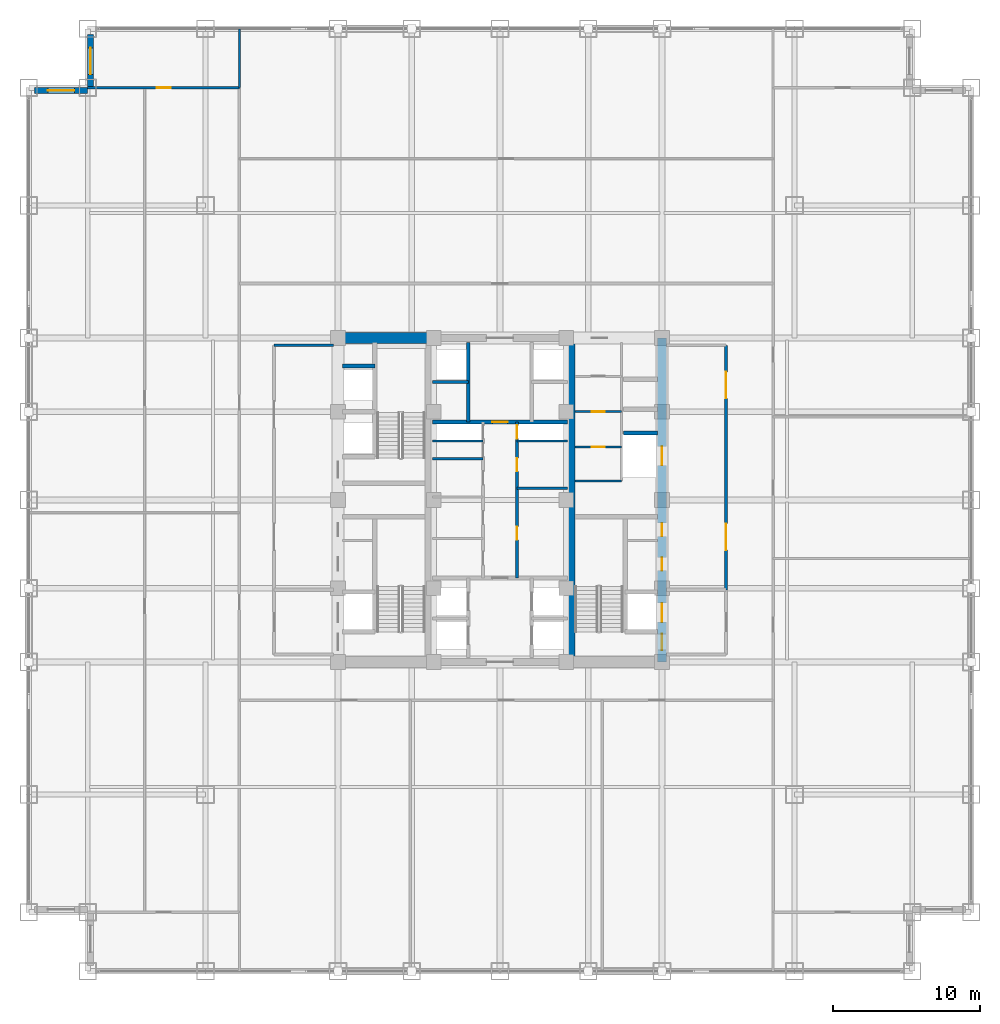
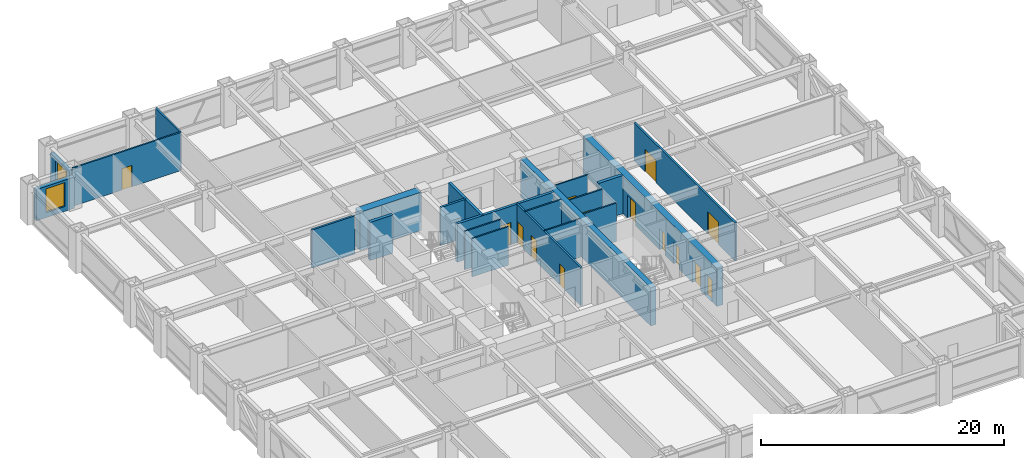
# One storey, part 25 of 27: 22 walls, 14 doors, 2 windows, 16 openings.
"""IFC4 building model written with IfcOpenShell, lengths in metres."""

from ifc_helpers import new_model, si_unit, direction, frame, frame_2d, origin, place, context, subcontext, project, spatial, rectangle, extrude, source, transform, mapped, material, layer, layer_set, type_object, element, fill, save


model = new_model("IFC4")

# Units and contexts
model_context = context("Model", 3, precision=1e-05, world=origin(), true_north=direction((0.0, 1.0)))
body_context = subcontext(model_context, "Body", "Model", "MODEL_VIEW")
ifc_project = project(units=[si_unit("LENGTHUNIT", "METRE"), si_unit("AREAUNIT", "SQUARE_METRE"), si_unit("VOLUMEUNIT", "CUBIC_METRE"), si_unit("PLANEANGLEUNIT", "RADIAN"), si_unit("MASSUNIT", "GRAM", prefix="KILO")], contexts=[model_context])

# Site, building, storey
site_placement = place(None, origin())
site = spatial("IfcSite", under=ifc_project, at=site_placement, CompositionType="ELEMENT")
building_placement = place(site_placement, origin())
building = spatial("IfcBuilding", under=site, at=building_placement, Name="Khorayat Bourse Tower", CompositionType="ELEMENT")
storey_placement = place(building_placement, frame((0.0, 0.0, 107.800048828125)))
storey = spatial("IfcBuildingStorey", under=building, at=storey_placement, Name="L24", CompositionType="ELEMENT", Elevation=107.800048828125)

# Wall, openings, doors
ifc_material_1 = material(Name="Concrete C60/75", Category="concrete")
ifc_layer_1 = layer(ifc_material_1, 0.60009765625)
ifc_layer_set_1 = layer_set([ifc_layer_1], Name="Concrete C60/75")
wall_type_1 = type_object("IfcWallType", Name="WAL-CORE-600", PredefinedType="SHEAR", material=ifc_layer_set_1)
shared_shape_1 = source(origin(), body_context, "Body", "SweptSolid", [
    extrude(rectangle(XDim=22.0, YDim=0.60009765625, at=frame_2d((11.0, 0.0))), origin(), (0.0, 0.0, 1.0), 3.83984375),
])
wall_1_placement = place(storey_placement, frame((11.0, -11.0, 0.0), z_axis=(0.0, 0.0, 1.0), x_axis=(0.0, 1.0, 0.0)))
wall_1 = element("IfcWall", 1, at=wall_1_placement, inside=storey, type_object=wall_type_1, Name="L24 Core Shear Wall CORE-E", PredefinedType="SHEAR", context=body_context, shape_type="MappedRepresentation", body=[
    mapped(shared_shape_1, transform((0.0, 0.0, 0.0), scale=1.0)),
])
shared_shape_2 = source(origin(), body_context, "Body", "SweptSolid", [
    extrude(rectangle(XDim=1.10009765625, YDim=2.199951171875, at=frame_2d((0.550048828125, 1.10009765625))), frame((0.0, 0.31005859375, 0.0), z_axis=(0.0, -1.0, 0.0), x_axis=(1.0, 0.0, 0.0)), (0.0, 0.0, 1.0), 0.6201171875),
])
opening_1_placement = place(wall_1_placement, frame((0.800048828125, 0.0, 0.0)))
opening_1 = element("IfcOpeningElement", 2, at=opening_1_placement, cuts=wall_1, Name="Opening DI-01", PredefinedType="OPENING", context=body_context, shape_type="MappedRepresentation", body=[
    mapped(shared_shape_2, transform((0.0, 0.0, 0.0), scale=1.0)),
])
shared_shape_3 = source(origin(), body_context, "Body", "SweptSolid", [
    extrude(rectangle(XDim=0.89990234375, YDim=2.14990234375, at=frame_2d((0.449951171875, 1.074951171875))), frame((0.0, 0.31005859375, 0.0), z_axis=(0.0, -1.0, 0.0), x_axis=(1.0, 0.0, 0.0)), (0.0, 0.0, 1.0), 0.6201171875),
])
opening_2_placement = place(wall_1_placement, frame((6.199951171875, 0.0, 0.0)))
opening_2 = element("IfcOpeningElement", 3, at=opening_2_placement, cuts=wall_1, Name="Opening DI-06", PredefinedType="OPENING", context=body_context, shape_type="MappedRepresentation", body=[
    mapped(shared_shape_3, transform((0.0, 0.0, 0.0), scale=1.0)),
])
opening_3_placement = place(wall_1_placement, frame((8.52490234375, 0.0, 0.0)))
opening_3 = element("IfcOpeningElement", 4, at=opening_3_placement, cuts=wall_1, Name="Opening DI-06", PredefinedType="OPENING", context=body_context, shape_type="MappedRepresentation", body=[
    mapped(shared_shape_3, transform((0.0, 0.0, 0.0), scale=1.0)),
])
shared_shape_4 = source(origin(), body_context, "Body", "SweptSolid", [
    extrude(rectangle(XDim=1.300048828125, YDim=2.300048828125, at=frame_2d((0.64990234375, 1.14990234375))), frame((0.0, 0.31005859375, 0.0), z_axis=(0.0, -1.0, 0.0), x_axis=(1.0, 0.0, 0.0)), (0.0, 0.0, 1.0), 0.6201171875),
])
opening_4_placement = place(wall_1_placement, frame((2.699951171875, 0.0, 0.0)))
opening_4 = element("IfcOpeningElement", 5, at=opening_4_placement, cuts=wall_1, Name="Opening LD-02", PredefinedType="OPENING", context=body_context, shape_type="MappedRepresentation", body=[
    mapped(shared_shape_4, transform((0.0, 0.0, 0.0), scale=1.0)),
])
opening_5_placement = place(wall_1_placement, frame((13.35009765625, 0.0, 0.0)))
opening_5 = element("IfcOpeningElement", 6, at=opening_5_placement, cuts=wall_1, Name="Opening LD-02", PredefinedType="OPENING", context=body_context, shape_type="MappedRepresentation", body=[
    mapped(shared_shape_4, transform((0.0, 0.0, 0.0), scale=1.0)),
])
ifc_material_2 = material(Name="Fire-rated steel acoustic leaf", Category="steel")
door_type_1 = type_object("IfcDoorType", Name="DR-INT-STAIR-1100", OperationType="NOTDEFINED", PredefinedType="DOOR", material=ifc_material_2)
shared_shape_5 = source(origin(), body_context, "Body", "SweptSolid", [
    extrude(rectangle(XDim=1.10009765625, YDim=2.199951171875, at=frame_2d((0.550048828125, 1.10009765625))), frame((0.0, 0.02490234375, 0.0), z_axis=(0.0, -1.0, 0.0), x_axis=(1.0, 0.0, 0.0)), (0.0, 0.0, 1.0), 0.050048828125),
])
door_1_placement = place(opening_1_placement, origin())
door_1 = element("IfcDoor", 7, at=door_1_placement, inside=storey, type_object=door_type_1, Name="L24 Exit Stair 3 Door", OperationType="SINGLE_SWING_LEFT", OverallHeight=2.199951171875, OverallWidth=1.10009765625, PredefinedType="DOOR", context=body_context, shape_type="MappedRepresentation", body=[
    mapped(shared_shape_5, transform((0.0, 0.0, 0.0), scale=1.0)),
])
fill(opening_1, door_1)
ifc_material_3 = material(Name="Moisture-resistant laminate washroom door")
door_type_2 = type_object("IfcDoorType", Name="DR-INT-WC-900", OperationType="NOTDEFINED", PredefinedType="DOOR", material=ifc_material_3)
shared_shape_6 = source(origin(), body_context, "Body", "SweptSolid", [
    extrude(rectangle(XDim=0.89990234375, YDim=2.14990234375, at=frame_2d((0.449951171875, 1.074951171875))), frame((0.0, 0.02490234375, 0.0), z_axis=(0.0, -1.0, 0.0), x_axis=(1.0, 0.0, 0.0)), (0.0, 0.0, 1.0), 0.050048828125),
])
door_2_placement = place(opening_2_placement, origin())
door_2 = element("IfcDoor", 8, at=door_2_placement, inside=storey, type_object=door_type_2, Name="L24 Telecom Closet Door", OperationType="SINGLE_SWING_LEFT", OverallHeight=2.14990234375, OverallWidth=0.89990234375, PredefinedType="DOOR", context=body_context, shape_type="MappedRepresentation", body=[
    mapped(shared_shape_6, transform((0.0, 0.0, 0.0), scale=1.0)),
])
fill(opening_2, door_2)
door_3_placement = place(opening_3_placement, origin())
door_3 = element("IfcDoor", 9, at=door_3_placement, inside=storey, type_object=door_type_2, Name="L24 Stationery Store Door", OperationType="SINGLE_SWING_RIGHT", OverallHeight=2.14990234375, OverallWidth=0.89990234375, PredefinedType="DOOR", context=body_context, shape_type="MappedRepresentation", body=[
    mapped(shared_shape_6, transform((0.0, 0.0, 0.0), scale=1.0)),
])
fill(opening_3, door_3)
ifc_material_4 = material(Name="Fire-rated stainless-steel sliding landing door", Category="steel")
door_type_3 = type_object("IfcDoorType", Name="DR-LIFT-FF-1300", OperationType="NOTDEFINED", PredefinedType="DOOR", material=ifc_material_4)
shared_shape_7 = source(origin(), body_context, "Body", "SweptSolid", [
    extrude(rectangle(XDim=1.300048828125, YDim=2.300048828125, at=frame_2d((0.64990234375, 1.14990234375))), frame((0.0, 0.02490234375, 0.0), z_axis=(0.0, -1.0, 0.0), x_axis=(1.0, 0.0, 0.0)), (0.0, 0.0, 1.0), 0.050048828125),
])
door_4_placement = place(opening_4_placement, origin())
door_4 = element("IfcDoor", 10, at=door_4_placement, inside=storey, type_object=door_type_3, Name="L24 Lift FFL-02 Sliding Landing Door", OperationType="SLIDING_TO_LEFT", OverallHeight=2.300048828125, OverallWidth=1.300048828125, PredefinedType="DOOR", context=body_context, shape_type="MappedRepresentation", body=[
    mapped(shared_shape_7, transform((0.0, 0.0, 0.0), scale=1.0)),
])
fill(opening_4, door_4)
door_5_placement = place(opening_5_placement, origin())
door_5 = element("IfcDoor", 11, at=door_5_placement, inside=storey, type_object=door_type_3, Name="L24 Lift SVL-01 Sliding Landing Door", OperationType="SLIDING_TO_LEFT", OverallHeight=2.300048828125, OverallWidth=1.300048828125, PredefinedType="DOOR", context=body_context, shape_type="MappedRepresentation", body=[
    mapped(shared_shape_7, transform((0.0, 0.0, 0.0), scale=1.0)),
])
fill(opening_5, door_5)

# Walls
ifc_material_5 = material(Name="Concrete C52/65", Category="concrete")
ifc_layer_2 = layer(ifc_material_5, 0.5)
ifc_layer_set_2 = layer_set([ifc_layer_2], Name="Concrete C52/65")
wall_type_2 = type_object("IfcWallType", Name="WAL-CORE-500", PredefinedType="SHEAR", material=ifc_layer_set_2)
shared_shape_8 = source(origin(), body_context, "Body", "SweptSolid", [
    extrude(rectangle(XDim=21.39990234375, YDim=0.5, at=frame_2d((10.699951171875, 0.0))), origin(), (0.0, 0.0, 1.0), 3.83984375),
])
wall_2_placement = place(storey_placement, frame((4.85009765625, -10.699951171875, 0.0), z_axis=(0.0, 0.0, 1.0), x_axis=(0.0, 1.0, 0.0)))
element("IfcWall", 12, at=wall_2_placement, inside=storey, type_object=wall_type_2, Name="L24 Core Shear Wall PIER-E", PredefinedType="SHEAR", context=body_context, shape_type="MappedRepresentation", body=[
    mapped(shared_shape_8, transform((0.0, 0.0, 0.0), scale=1.0)),
])
ifc_material_6 = material(Name="Concrete C72/90", Category="concrete")
ifc_layer_3 = layer(ifc_material_6, 0.75)
ifc_layer_set_3 = layer_set([ifc_layer_3], Name="Concrete C72/90")
wall_type_3 = type_object("IfcWallType", Name="WAL-CORE-750", PredefinedType="SHEAR", material=ifc_layer_set_3)
shared_shape_9 = source(origin(), body_context, "Body", "SweptSolid", [
    extrude(rectangle(XDim=5.849853515625, YDim=0.75, at=frame_2d((2.9248046875, 0.0))), origin(), (0.0, 0.0, 1.0), 3.83984375),
])
wall_3_placement = place(storey_placement, frame((-10.699951171875, 11.0, 0.0), z_axis=(0.0, 0.0, 1.0), x_axis=(1.0, 0.0, 0.0)))
element("IfcWall", 13, at=wall_3_placement, inside=storey, type_object=wall_type_3, Name="L24 Core Shear Wall PIER-WN", PredefinedType="SHEAR", context=body_context, shape_type="MappedRepresentation", body=[
    mapped(shared_shape_9, transform((0.0, 0.0, 0.0), scale=1.0)),
])

# Wall, opening, window
ifc_material_7 = material(Name="Precast concrete C45/55", Category="concrete")
ifc_layer_4 = layer(ifc_material_7, 0.3798828125)
ifc_layer_set_4 = layer_set([ifc_layer_4], Name="Precast concrete C45/55")
wall_type_4 = type_object("IfcWallType", Name="WAL-EXT-STONE-380", PredefinedType="STANDARD", material=ifc_layer_set_4)
shared_shape_10 = source(origin(), body_context, "Body", "SweptSolid", [
    extrude(rectangle(XDim=3.6201171875, YDim=0.3798828125, at=frame_2d((1.81005859375, 0.0))), origin(), (0.0, 0.0, 1.0), 3.14501953125),
])
wall_4_placement = place(storey_placement, frame((-27.81005859375, 28.0, 0.0), z_axis=(0.0, 0.0, 1.0), x_axis=(0.0, 1.0, 0.0)))
wall_4 = element("IfcWall", 14, at=wall_4_placement, inside=storey, type_object=wall_type_4, Name="L24 Re-Entrant Notch Limestone Wall NW-V", PredefinedType="STANDARD", context=body_context, shape_type="MappedRepresentation", body=[
    mapped(shared_shape_10, transform((0.0, 0.0, 0.0), scale=1.0)),
])
shared_shape_11 = source(origin(), body_context, "Body", "SweptSolid", [
    extrude(rectangle(XDim=1.800048828125, YDim=2.39990234375, at=frame_2d((0.89990234375, 1.199951171875))), frame((0.0, 0.199951171875, 0.0), z_axis=(0.0, -1.0, 0.0), x_axis=(1.0, 0.0, 0.0)), (0.0, 0.0, 1.0), 0.39990234375),
])
opening_6_placement = place(wall_4_placement, frame((0.909912109375, 0.0, 0.5)))
opening_6 = element("IfcOpeningElement", 15, at=opening_6_placement, cuts=wall_4, Name="Opening WN-04", PredefinedType="OPENING", context=body_context, shape_type="MappedRepresentation", body=[
    mapped(shared_shape_11, transform((0.0, 0.0, 0.0), scale=1.0)),
])
ifc_material_8 = material(Name="Low-E acoustic laminated double glazing", Category="glass")
window_type = type_object("IfcWindowType", Name="WIN-NOTCH-1800x2400", PartitioningType="SINGLE_PANEL", PredefinedType="WINDOW", material=ifc_material_8)
shared_shape_12 = source(origin(), body_context, "Body", "SweptSolid", [
    extrude(rectangle(XDim=1.800048828125, YDim=2.39990234375, at=frame_2d((0.89990234375, 1.199951171875))), frame((0.0, 0.030029296875, 0.0), z_axis=(0.0, -1.0, 0.0), x_axis=(1.0, 0.0, 0.0)), (0.0, 0.0, 1.0), 0.06005859375),
])
window_1_placement = place(opening_6_placement, origin())
window_1 = element("IfcWindow", 16, at=window_1_placement, inside=storey, type_object=window_type, Name="L24 Facade Window 1", OverallHeight=2.39990234375, OverallWidth=1.800048828125, PartitioningType="SINGLE_PANEL", PredefinedType="WINDOW", context=body_context, shape_type="MappedRepresentation", body=[
    mapped(shared_shape_12, transform((0.0, 0.0, 0.0), scale=1.0)),
])
fill(opening_6, window_1)

wall_5_placement = place(storey_placement, frame((-28.0, 27.81005859375, 0.0), z_axis=(0.0, 0.0, 1.0), x_axis=(-1.0, 0.0, 0.0)))
wall_5 = element("IfcWall", 17, at=wall_5_placement, inside=storey, type_object=wall_type_4, Name="L24 Re-Entrant Notch Limestone Wall NW-H", PredefinedType="STANDARD", context=body_context, shape_type="MappedRepresentation", body=[
    mapped(shared_shape_10, transform((0.0, 0.0, 0.0), scale=1.0)),
])
opening_7_placement = place(wall_5_placement, frame((0.909912109375, 0.0, 0.5)))
opening_7 = element("IfcOpeningElement", 18, at=opening_7_placement, cuts=wall_5, Name="Opening WN-04", PredefinedType="OPENING", context=body_context, shape_type="MappedRepresentation", body=[
    mapped(shared_shape_11, transform((0.0, 0.0, 0.0), scale=1.0)),
])
window_2_placement = place(opening_7_placement, origin())
window_2 = element("IfcWindow", 19, at=window_2_placement, inside=storey, type_object=window_type, Name="L24 Facade Window 1", OverallHeight=2.39990234375, OverallWidth=1.800048828125, PartitioningType="SINGLE_PANEL", PredefinedType="WINDOW", context=body_context, shape_type="MappedRepresentation", body=[
    mapped(shared_shape_12, transform((0.0, 0.0, 0.0), scale=1.0)),
])
fill(opening_7, window_2)

# Walls
ifc_material_9 = material(Name="Concrete C50/60", Category="concrete")
ifc_layer_5 = layer(ifc_material_9, 0.300048828125)
ifc_layer_set_5 = layer_set([ifc_layer_5], Name="Concrete C50/60")
wall_type_5 = type_object("IfcWallType", Name="WAL-SHAFT-300", PredefinedType="SHEAR", material=ifc_layer_set_5)
shared_shape_13 = source(origin(), body_context, "Body", "SweptSolid", [
    extrude(rectangle(XDim=2.199951171875, YDim=0.300048828125, at=frame_2d((1.10009765625, 0.0))), origin(), (0.0, 0.0, 1.0), 3.83984375),
])
wall_6_placement = place(storey_placement, frame((-10.699951171875, 9.10009765625, 0.0), z_axis=(0.0, 0.0, 1.0), x_axis=(1.0, 0.0, 0.0)))
element("IfcWall", 20, at=wall_6_placement, inside=storey, type_object=wall_type_5, Name="L24 Partition WAL-L24-WPIER-H2N", PredefinedType="SHEAR", context=body_context, shape_type="MappedRepresentation", body=[
    mapped(shared_shape_13, transform((0.0, 0.0, 0.0), scale=1.0)),
])
shared_shape_14 = source(origin(), body_context, "Body", "SweptSolid", [
    extrude(rectangle(XDim=2.300048828125, YDim=0.300048828125, at=frame_2d((1.14990234375, 0.0))), origin(), (0.0, 0.0, 1.0), 3.83984375),
])
wall_7_placement = place(storey_placement, frame((8.39990234375, 4.550048828125, 0.0), z_axis=(0.0, 0.0, 1.0), x_axis=(1.0, 0.0, 0.0)))
element("IfcWall", 21, at=wall_7_placement, inside=storey, type_object=wall_type_5, Name="L24 Partition WAL-L24-EPIER-SVLN", PredefinedType="SHEAR", context=body_context, shape_type="MappedRepresentation", body=[
    mapped(shared_shape_14, transform((0.0, 0.0, 0.0), scale=1.0)),
])
ifc_material_10 = material(Name="Moisture-resistant masonry partition", Category="masonry")
ifc_layer_6 = layer(ifc_material_10, 0.139892578125)
ifc_layer_set_6 = layer_set([ifc_layer_6], Name="Moisture-resistant masonry partition")
wall_type_6 = type_object("IfcWallType", Name="WAL-PART-WET-140", PredefinedType="PARTITIONING", material=ifc_layer_set_6)
shared_shape_15 = source(origin(), body_context, "Body", "SweptSolid", [
    extrude(rectangle(XDim=3.14990234375, YDim=0.139892578125, at=frame_2d((1.574951171875, 0.0))), origin(), (0.0, 0.0, 1.0), 3.83984375),
])
wall_8_placement = place(storey_placement, frame((5.10009765625, 1.300048828125, 0.0), z_axis=(0.0, 0.0, 1.0), x_axis=(1.0, 0.0, 0.0)))
element("IfcWall", 22, at=wall_8_placement, inside=storey, type_object=wall_type_6, Name="L24 Partition WAL-L24-ECORE-S", PredefinedType="PARTITIONING", context=body_context, shape_type="MappedRepresentation", body=[
    mapped(shared_shape_15, transform((0.0, 0.0, 0.0), scale=1.0)),
])

# Wall, opening, door
wall_9_placement = place(storey_placement, frame((5.10009765625, 6.0, 0.0), z_axis=(0.0, 0.0, 1.0), x_axis=(1.0, 0.0, 0.0)))
wall_9 = element("IfcWall", 23, at=wall_9_placement, inside=storey, type_object=wall_type_6, Name="L24 Partition WAL-L24-ECW-H1", PredefinedType="PARTITIONING", context=body_context, shape_type="MappedRepresentation", body=[
    mapped(shared_shape_15, transform((0.0, 0.0, 0.0), scale=1.0)),
])
shared_shape_16 = source(origin(), body_context, "Body", "SweptSolid", [
    extrude(rectangle(XDim=0.89990234375, YDim=2.14990234375, at=frame_2d((0.449951171875, 1.074951171875))), frame((0.0, 0.079833984375, 0.0), z_axis=(0.0, -1.0, 0.0), x_axis=(1.0, 0.0, 0.0)), (0.0, 0.0, 1.0), 0.159912109375),
])
opening_8_placement = place(wall_9_placement, frame((1.1298828125, 0.0, 0.0)))
opening_8 = element("IfcOpeningElement", 24, at=opening_8_placement, cuts=wall_9, Name="Opening DI-06", PredefinedType="OPENING", context=body_context, shape_type="MappedRepresentation", body=[
    mapped(shared_shape_16, transform((0.0, 0.0, 0.0), scale=1.0)),
])
door_6_placement = place(opening_8_placement, origin())
door_6 = element("IfcDoor", 25, at=door_6_placement, inside=storey, type_object=door_type_2, Name="L24 Shared Washroom Door", OperationType="SINGLE_SWING_RIGHT", OverallHeight=2.14990234375, OverallWidth=0.89990234375, PredefinedType="DOOR", context=body_context, shape_type="MappedRepresentation", body=[
    mapped(shared_shape_6, transform((0.0, 0.0, 0.0), scale=1.0)),
])
fill(opening_8, door_6)

wall_10_placement = place(storey_placement, frame((5.10009765625, 3.60009765625, 0.0), z_axis=(0.0, 0.0, 1.0), x_axis=(1.0, 0.0, 0.0)))
wall_10 = element("IfcWall", 26, at=wall_10_placement, inside=storey, type_object=wall_type_6, Name="L24 Partition WAL-L24-ECW-H2", PredefinedType="PARTITIONING", context=body_context, shape_type="MappedRepresentation", body=[
    mapped(shared_shape_15, transform((0.0, 0.0, 0.0), scale=1.0)),
])
opening_9_placement = place(wall_10_placement, frame((1.1298828125, 0.0, 0.0)))
opening_9 = element("IfcOpeningElement", 27, at=opening_9_placement, cuts=wall_10, Name="Opening DI-06", PredefinedType="OPENING", context=body_context, shape_type="MappedRepresentation", body=[
    mapped(shared_shape_16, transform((0.0, 0.0, 0.0), scale=1.0)),
])
door_7_placement = place(opening_9_placement, origin())
door_7 = element("IfcDoor", 28, at=door_7_placement, inside=storey, type_object=door_type_2, Name="L24 Staff Washroom Door", OperationType="SINGLE_SWING_LEFT", OverallHeight=2.14990234375, OverallWidth=0.89990234375, PredefinedType="DOOR", context=body_context, shape_type="MappedRepresentation", body=[
    mapped(shared_shape_6, transform((0.0, 0.0, 0.0), scale=1.0)),
])
fill(opening_9, door_7)

# Wall
ifc_material_11 = material(Name="Gypsum plasterboard acoustic stud wall")
ifc_layer_7 = layer(ifc_material_11, 0.179931640625)
ifc_layer_set_7 = layer_set([ifc_layer_7], Name="Gypsum plasterboard acoustic stud wall")
wall_type_7 = type_object("IfcWallType", Name="WAL-PART-CORR-180", PredefinedType="PARTITIONING", material=ifc_layer_set_7)
shared_shape_17 = source(origin(), body_context, "Body", "SweptSolid", [
    extrude(rectangle(XDim=4.050048828125, YDim=0.179931640625, at=frame_2d((2.02490234375, 0.0))), origin(), (0.0, 0.0, 1.0), 3.83984375),
])
wall_11_placement = place(storey_placement, frame((-15.35009765625, 10.5, 0.0), z_axis=(0.0, 0.0, 1.0), x_axis=(1.0, 0.0, 0.0)))
element("IfcWall", 29, at=wall_11_placement, inside=storey, type_object=wall_type_7, Name="L24 Partition WAL-L24-WLOB-N", PredefinedType="PARTITIONING", context=body_context, shape_type="MappedRepresentation", body=[
    mapped(shared_shape_17, transform((0.0, 0.0, 0.0), scale=1.0)),
])

# Wall, openings, doors
shared_shape_18 = source(origin(), body_context, "Body", "SweptSolid", [
    extrude(rectangle(XDim=16.60009765625, YDim=0.179931640625, at=frame_2d((8.300048828125, 0.0))), origin(), (0.0, 0.0, 1.0), 3.83984375),
])
wall_12_placement = place(storey_placement, frame((15.35009765625, -6.10009765625, 0.0), z_axis=(0.0, 0.0, 1.0), x_axis=(0.0, 1.0, 0.0)))
wall_12 = element("IfcWall", 30, at=wall_12_placement, inside=storey, type_object=wall_type_7, Name="L24 Partition WAL-L24-ELOB-E", PredefinedType="PARTITIONING", context=body_context, shape_type="MappedRepresentation", body=[
    mapped(shared_shape_18, transform((0.0, 0.0, 0.0), scale=1.0)),
])
shared_shape_19 = source(origin(), body_context, "Body", "SweptSolid", [
    extrude(rectangle(XDim=1.800048828125, YDim=2.25, at=frame_2d((0.89990234375, 1.125))), frame((0.0, 0.099853515625, 0.0), z_axis=(0.0, -1.0, 0.0), x_axis=(1.0, 0.0, 0.0)), (0.0, 0.0, 1.0), 0.199951171875),
])
opening_10_placement = place(wall_12_placement, frame((2.699951171875, 0.0, 0.0)))
opening_10 = element("IfcOpeningElement", 31, at=opening_10_placement, cuts=wall_12, Name="Opening DI-03", PredefinedType="OPENING", context=body_context, shape_type="MappedRepresentation", body=[
    mapped(shared_shape_19, transform((0.0, 0.0, 0.0), scale=1.0)),
])
opening_11_placement = place(wall_12_placement, frame((13.0, 0.0, 0.0)))
opening_11 = element("IfcOpeningElement", 32, at=opening_11_placement, cuts=wall_12, Name="Opening DI-03", PredefinedType="OPENING", context=body_context, shape_type="MappedRepresentation", body=[
    mapped(shared_shape_19, transform((0.0, 0.0, 0.0), scale=1.0)),
])
ifc_material_12 = material(Name="Fire-rated hardwood vision-panel double leaf", Category="wood")
door_type_4 = type_object("IfcDoorType", Name="DR-INT-CORR-1800", OperationType="NOTDEFINED", PredefinedType="DOOR", material=ifc_material_12)
shared_shape_20 = source(origin(), body_context, "Body", "SweptSolid", [
    extrude(rectangle(XDim=1.800048828125, YDim=2.25, at=frame_2d((0.89990234375, 1.125))), frame((0.0, 0.02490234375, 0.0), z_axis=(0.0, -1.0, 0.0), x_axis=(1.0, 0.0, 0.0)), (0.0, 0.0, 1.0), 0.050048828125),
])
door_8_placement = place(opening_10_placement, origin())
door_8 = element("IfcDoor", 33, at=door_8_placement, inside=storey, type_object=door_type_4, Name="L24 East Core Lobby South Door", OperationType="SINGLE_SWING_RIGHT", OverallHeight=2.25, OverallWidth=1.800048828125, PredefinedType="DOOR", context=body_context, shape_type="MappedRepresentation", body=[
    mapped(shared_shape_20, transform((0.0, 0.0, 0.0), scale=1.0)),
])
fill(opening_10, door_8)
door_9_placement = place(opening_11_placement, origin())
door_9 = element("IfcDoor", 34, at=door_9_placement, inside=storey, type_object=door_type_4, Name="L24 East Core Lobby North Door", OperationType="SINGLE_SWING_LEFT", OverallHeight=2.25, OverallWidth=1.800048828125, PredefinedType="DOOR", context=body_context, shape_type="MappedRepresentation", body=[
    mapped(shared_shape_20, transform((0.0, 0.0, 0.0), scale=1.0)),
])
fill(opening_11, door_9)

# Walls
ifc_material_13 = material(Name="Gypsum plasterboard twin-frame partition")
ifc_layer_8 = layer(ifc_material_13, 0.14990234375)
ifc_layer_set_8 = layer_set([ifc_layer_8], Name="Gypsum plasterboard twin-frame partition")
wall_type_8 = type_object("IfcWallType", Name="WAL-PART-SUITE-150", PredefinedType="PARTITIONING", material=ifc_layer_set_8)
shared_shape_21 = source(origin(), body_context, "Body", "SweptSolid", [
    extrude(rectangle(XDim=3.4501953125, YDim=0.14990234375, at=frame_2d((1.72509765625, 0.0))), origin(), (0.0, 0.0, 1.0), 3.83984375),
])
for number, where, z_axis, x_axis, name in (
    (35, (-4.60009765625, 4.0, 0.0), (0.0, 0.0, 1.0), (1.0, 0.0, 0.0), "L24 Partition WAL-L24-CRSW-S"),
    (36, (1.14990234375, 4.0, 0.0), (0.0, 0.0, 1.0), (1.0, 0.0, 0.0), "L24 Partition WAL-L24-CRSE-S"),
):
    element("IfcWall", number, at=place(storey_placement, frame(where, z_axis=z_axis, x_axis=x_axis)), inside=storey, type_object=wall_type_8, Name=name, PredefinedType="PARTITIONING", context=body_context, shape_type="MappedRepresentation", body=[
        mapped(shared_shape_21, transform((0.0, 0.0, 0.0), scale=1.0)),
    ])
shared_shape_22 = source(origin(), body_context, "Body", "SweptSolid", [
    extrude(rectangle(XDim=5.39990234375, YDim=0.25, at=frame_2d((2.699951171875, 0.0))), origin(), (0.0, 0.0, 1.0), 3.83984375),
])
wall_13_placement = place(storey_placement, frame((-2.14990234375, 5.300048828125, 0.0), z_axis=(0.0, 0.0, 1.0), x_axis=(0.0, 1.0, 0.0)))
element("IfcWall", 37, at=wall_13_placement, inside=storey, type_object=wall_type_5, Name="L24 Partition WAL-L24-B2-W", PredefinedType="SHEAR", context=body_context, shape_type="MappedRepresentation", body=[
    mapped(shared_shape_22, transform((0.0, 0.0, 0.0), scale=1.0)),
])
shared_shape_23 = source(origin(), body_context, "Body", "SweptSolid", [
    extrude(rectangle(XDim=2.4501953125, YDim=0.199951171875, at=frame_2d((1.22509765625, 0.0))), origin(), (0.0, 0.0, 1.0), 3.83984375),
])
wall_14_placement = place(storey_placement, frame((-4.60009765625, 8.0, 0.0), z_axis=(0.0, 0.0, 1.0), x_axis=(1.0, 0.0, 0.0)))
element("IfcWall", 38, at=wall_14_placement, inside=storey, type_object=wall_type_5, Name="L24 Partition WAL-L24-B2-MW", PredefinedType="SHEAR", context=body_context, shape_type="MappedRepresentation", body=[
    mapped(shared_shape_23, transform((0.0, 0.0, 0.0), scale=1.0)),
])

# Wall, opening, door
shared_shape_24 = source(origin(), body_context, "Body", "SweptSolid", [
    extrude(rectangle(XDim=9.2001953125, YDim=0.25, at=frame_2d((4.60009765625, 0.0))), origin(), (0.0, 0.0, 1.0), 3.83984375),
])
wall_15_placement = place(storey_placement, frame((-4.60009765625, 5.300048828125, 0.0), z_axis=(0.0, 0.0, 1.0), x_axis=(1.0, 0.0, 0.0)))
wall_15 = element("IfcWall", 39, at=wall_15_placement, inside=storey, type_object=wall_type_5, Name="L24 Partition WAL-L24-B2-S", PredefinedType="SHEAR", context=body_context, shape_type="MappedRepresentation", body=[
    mapped(shared_shape_24, transform((0.0, 0.0, 0.0), scale=1.0)),
])
shared_shape_25 = source(origin(), body_context, "Body", "SweptSolid", [
    extrude(rectangle(XDim=1.050048828125, YDim=2.199951171875, at=frame_2d((0.52490234375, 1.10009765625))), frame((0.0, 0.135009765625, 0.0), z_axis=(0.0, -1.0, 0.0), x_axis=(1.0, 0.0, 0.0)), (0.0, 0.0, 1.0), 0.27001953125),
])
opening_12_placement = place(wall_15_placement, frame((4.074951171875, 0.0, 0.0)))
opening_12 = element("IfcOpeningElement", 40, at=opening_12_placement, cuts=wall_15, Name="Opening DI-04", PredefinedType="OPENING", context=body_context, shape_type="MappedRepresentation", body=[
    mapped(shared_shape_25, transform((0.0, 0.0, 0.0), scale=1.0)),
])
ifc_material_14 = material(Name="Fire-rated oak veneer suite entrance door")
door_type_5 = type_object("IfcDoorType", Name="DR-INT-SUITE-1050", OperationType="NOTDEFINED", PredefinedType="DOOR", material=ifc_material_14)
shared_shape_26 = source(origin(), body_context, "Body", "SweptSolid", [
    extrude(rectangle(XDim=1.050048828125, YDim=2.199951171875, at=frame_2d((0.52490234375, 1.10009765625))), frame((0.0, 0.02490234375, 0.0), z_axis=(0.0, -1.0, 0.0), x_axis=(1.0, 0.0, 0.0)), (0.0, 0.0, 1.0), 0.050048828125),
])
door_10_placement = place(opening_12_placement, origin())
door_10 = element("IfcDoor", 41, at=door_10_placement, inside=storey, type_object=door_type_5, Name="L24 Core Spine North Door", OperationType="SINGLE_SWING_RIGHT", OverallHeight=2.199951171875, OverallWidth=1.050048828125, PredefinedType="DOOR", context=body_context, shape_type="MappedRepresentation", body=[
    mapped(shared_shape_26, transform((0.0, 0.0, 0.0), scale=1.0)),
])
fill(opening_12, door_10)

# Wall, openings, doors
shared_shape_27 = source(origin(), body_context, "Body", "SweptSolid", [
    extrude(rectangle(XDim=10.60009765625, YDim=0.179931640625, at=frame_2d((5.300048828125, 0.0))), origin(), (0.0, 0.0, 1.0), 3.83984375),
])
wall_16_placement = place(storey_placement, frame((1.14990234375, -5.300048828125, 0.0), z_axis=(0.0, 0.0, 1.0), x_axis=(0.0, 1.0, 0.0)))
wall_16 = element("IfcWall", 42, at=wall_16_placement, inside=storey, type_object=wall_type_7, Name="L24 Partition WAL-L24-CME-L", PredefinedType="PARTITIONING", context=body_context, shape_type="MappedRepresentation", body=[
    mapped(shared_shape_27, transform((0.0, 0.0, 0.0), scale=1.0)),
])
shared_shape_28 = source(origin(), body_context, "Body", "SweptSolid", [
    extrude(rectangle(XDim=0.89990234375, YDim=2.14990234375, at=frame_2d((0.449951171875, 1.074951171875))), frame((0.0, 0.099853515625, 0.0), z_axis=(0.0, -1.0, 0.0), x_axis=(1.0, 0.0, 0.0)), (0.0, 0.0, 1.0), 0.199951171875),
])
opening_13_placement = place(wall_16_placement, frame((2.60009765625, 0.0, 0.0)))
opening_13 = element("IfcOpeningElement", 43, at=opening_13_placement, cuts=wall_16, Name="Opening DI-06", PredefinedType="OPENING", context=body_context, shape_type="MappedRepresentation", body=[
    mapped(shared_shape_28, transform((0.0, 0.0, 0.0), scale=1.0)),
])
opening_14_placement = place(wall_16_placement, frame((7.25, 0.0, 0.0)))
opening_14 = element("IfcOpeningElement", 44, at=opening_14_placement, cuts=wall_16, Name="Opening DI-06", PredefinedType="OPENING", context=body_context, shape_type="MappedRepresentation", body=[
    mapped(shared_shape_28, transform((0.0, 0.0, 0.0), scale=1.0)),
])
opening_15_placement = place(wall_16_placement, frame((9.47509765625, 0.0, 0.0)))
opening_15 = element("IfcOpeningElement", 45, at=opening_15_placement, cuts=wall_16, Name="Opening DI-06", PredefinedType="OPENING", context=body_context, shape_type="MappedRepresentation", body=[
    mapped(shared_shape_28, transform((0.0, 0.0, 0.0), scale=1.0)),
])
door_11_placement = place(opening_13_placement, origin())
door_11 = element("IfcDoor", 46, at=door_11_placement, inside=storey, type_object=door_type_2, Name="L24 Female Core Washroom Door", OperationType="SINGLE_SWING_RIGHT", OverallHeight=2.14990234375, OverallWidth=0.89990234375, PredefinedType="DOOR", context=body_context, shape_type="MappedRepresentation", body=[
    mapped(shared_shape_6, transform((0.0, 0.0, 0.0), scale=1.0)),
])
fill(opening_13, door_11)
door_12_placement = place(opening_14_placement, origin())
door_12 = element("IfcDoor", 47, at=door_12_placement, inside=storey, type_object=door_type_2, Name="L24 Smoke Extract Fan Plant Room Door", OperationType="SINGLE_SWING_LEFT", OverallHeight=2.14990234375, OverallWidth=0.89990234375, PredefinedType="DOOR", context=body_context, shape_type="MappedRepresentation", body=[
    mapped(shared_shape_6, transform((0.0, 0.0, 0.0), scale=1.0)),
])
fill(opening_14, door_12)
door_13_placement = place(opening_15_placement, origin())
door_13 = element("IfcDoor", 48, at=door_13_placement, inside=storey, type_object=door_type_2, Name="L24 East Core Riser Door", OperationType="SINGLE_SWING_RIGHT", OverallHeight=2.14990234375, OverallWidth=0.89990234375, PredefinedType="DOOR", context=body_context, shape_type="MappedRepresentation", body=[
    mapped(shared_shape_6, transform((0.0, 0.0, 0.0), scale=1.0)),
])
fill(opening_15, door_13)

# Walls
shared_shape_29 = source(origin(), body_context, "Body", "SweptSolid", [
    extrude(rectangle(XDim=3.4501953125, YDim=0.139892578125, at=frame_2d((1.72509765625, 0.0))), origin(), (0.0, 0.0, 1.0), 3.83984375),
])
for number, where, z_axis, x_axis, name in (
    (49, (-4.60009765625, 2.800048828125, 0.0), (0.0, 0.0, 1.0), (1.0, 0.0, 0.0), "L24 Partition WAL-L24-CMW-D3"),
    (50, (1.14990234375, 0.800048828125, 0.0), (0.0, 0.0, 1.0), (1.0, 0.0, 0.0), "L24 Partition WAL-L24-CME-D1"),
):
    element("IfcWall", number, at=place(storey_placement, frame(where, z_axis=z_axis, x_axis=x_axis)), inside=storey, type_object=wall_type_6, Name=name, PredefinedType="PARTITIONING", context=body_context, shape_type="MappedRepresentation", body=[
        mapped(shared_shape_29, transform((0.0, 0.0, 0.0), scale=1.0)),
    ])
shared_shape_30 = source(origin(), body_context, "Body", "SweptSolid", [
    extrude(rectangle(XDim=4.0, YDim=0.14990234375, at=frame_2d((2.0, 0.0))), origin(), (0.0, 0.0, 1.0), 3.83984375),
])
wall_17_placement = place(storey_placement, frame((-17.699951171875, 28.0, 0.0), z_axis=(0.0, 0.0, 1.0), x_axis=(0.0, 1.0, 0.0)))
element("IfcWall", 51, at=wall_17_placement, inside=storey, type_object=wall_type_8, Name="L24 Partition WAL-L24-NCW-END", PredefinedType="PARTITIONING", context=body_context, shape_type="MappedRepresentation", body=[
    mapped(shared_shape_30, transform((0.0, 0.0, 0.0), scale=1.0)),
])

# Wall, opening, door
shared_shape_31 = source(origin(), body_context, "Body", "SweptSolid", [
    extrude(rectangle(XDim=10.300048828125, YDim=0.14990234375, at=frame_2d((5.14990234375, 0.0))), origin(), (0.0, 0.0, 1.0), 3.83984375),
])
wall_18_placement = place(storey_placement, frame((-28.0, 28.0, 0.0), z_axis=(0.0, 0.0, 1.0), x_axis=(1.0, 0.0, 0.0)))
wall_18 = element("IfcWall", 52, at=wall_18_placement, inside=storey, type_object=wall_type_8, Name="L24 Partition WAL-L24-CNW", PredefinedType="PARTITIONING", context=body_context, shape_type="MappedRepresentation", body=[
    mapped(shared_shape_31, transform((0.0, 0.0, 0.0), scale=1.0)),
])
shared_shape_32 = source(origin(), body_context, "Body", "SweptSolid", [
    extrude(rectangle(XDim=0.949951171875, YDim=2.14990234375, at=frame_2d((0.47509765625, 1.074951171875))), frame((0.0, 0.0849609375, 0.0), z_axis=(0.0, -1.0, 0.0), x_axis=(1.0, 0.0, 0.0)), (0.0, 0.0, 1.0), 0.169921875),
])
opening_16_placement = place(wall_18_placement, frame((4.675048828125, 0.0, 0.0)))
opening_16 = element("IfcOpeningElement", 53, at=opening_16_placement, cuts=wall_18, Name="Opening DI-05", PredefinedType="OPENING", context=body_context, shape_type="MappedRepresentation", body=[
    mapped(shared_shape_32, transform((0.0, 0.0, 0.0), scale=1.0)),
])
ifc_material_15 = material(Name="Acoustic oak veneer office door")
door_type_6 = type_object("IfcDoorType", Name="DR-INT-OFFICE-950", OperationType="NOTDEFINED", PredefinedType="DOOR", material=ifc_material_15)
shared_shape_33 = source(origin(), body_context, "Body", "SweptSolid", [
    extrude(rectangle(XDim=0.949951171875, YDim=2.14990234375, at=frame_2d((0.47509765625, 1.074951171875))), frame((0.0, 0.02490234375, 0.0), z_axis=(0.0, -1.0, 0.0), x_axis=(1.0, 0.0, 0.0)), (0.0, 0.0, 1.0), 0.050048828125),
])
door_14_placement = place(opening_16_placement, origin())
door_14 = element("IfcDoor", 54, at=door_14_placement, inside=storey, type_object=door_type_6, Name="L24 North-West Corner Meeting Room Door", OperationType="SINGLE_SWING_LEFT", OverallHeight=2.14990234375, OverallWidth=0.949951171875, PredefinedType="DOOR", context=body_context, shape_type="MappedRepresentation", body=[
    mapped(shared_shape_33, transform((0.0, 0.0, 0.0), scale=1.0)),
])
fill(opening_16, door_14)

save(model, "model.ifc")
